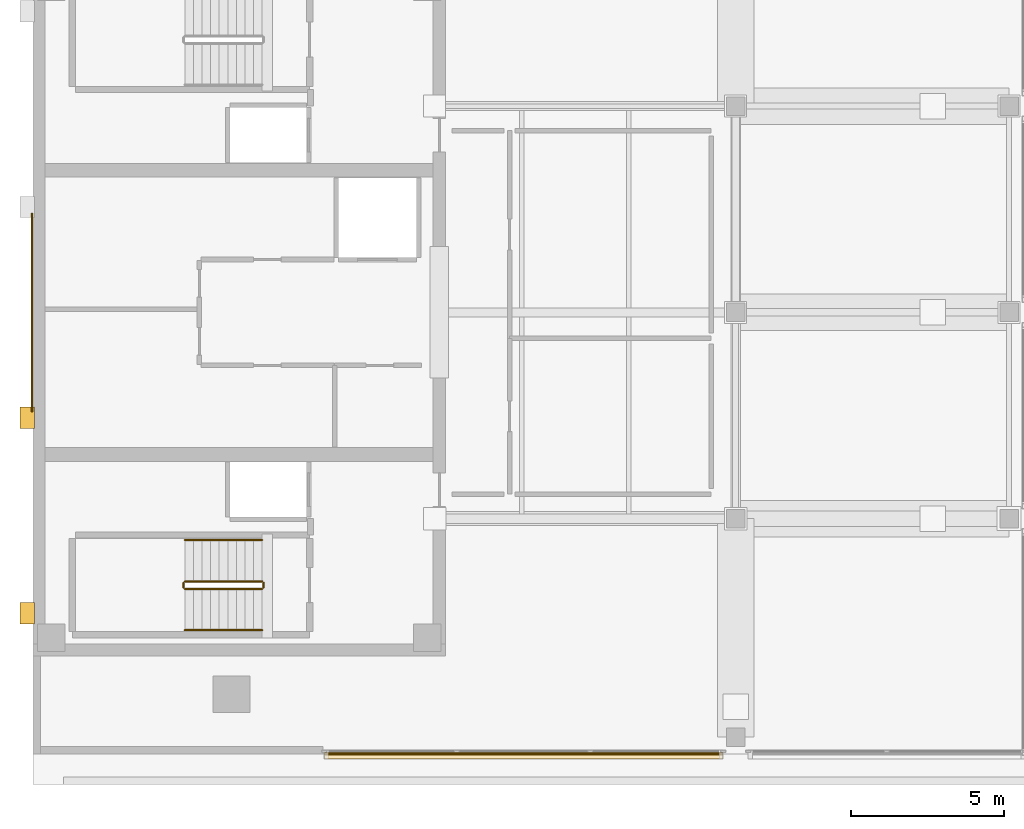
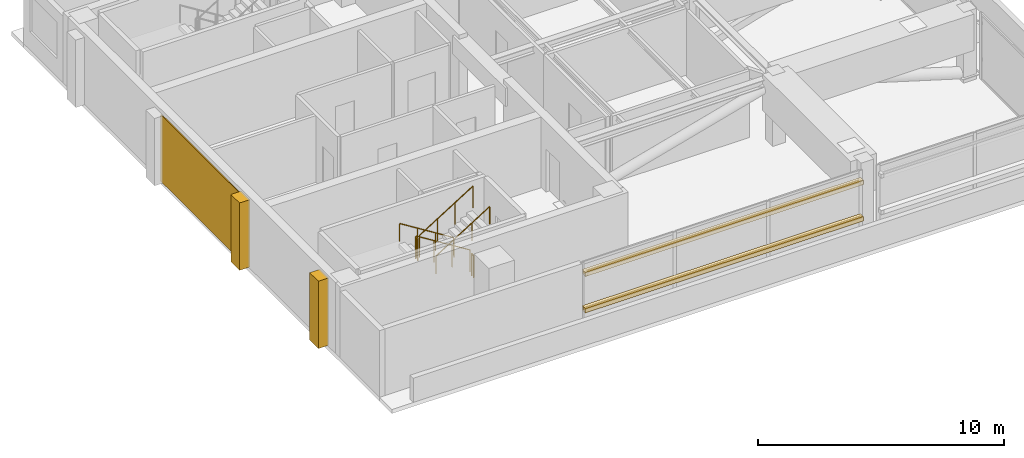
# One storey, part 7 of 10: 6 railings, 5 coverings, 2 shading devices.
"""IFC4 building model written with IfcOpenShell, lengths in metres."""

from ifc_helpers import new_model, si_unit, direction, frame, origin, origin_2d, place, context, subcontext, project, spatial, polyline, rectangle, circle, outline, extrude, material, layer, layer_set, material_profile, profile_set, type_object, element, save


model = new_model("IFC4")

# Units and contexts
model_context = context("Model", 3, precision=1e-05, world=origin(), true_north=direction((0.0, 1.0)))
body_context = subcontext(model_context, "Body", "Model", "MODEL_VIEW")
ifc_project = project(units=[si_unit("LENGTHUNIT", "METRE"), si_unit("AREAUNIT", "SQUARE_METRE"), si_unit("VOLUMEUNIT", "CUBIC_METRE"), si_unit("PLANEANGLEUNIT", "RADIAN"), si_unit("MASSUNIT", "GRAM", prefix="KILO")], contexts=[model_context])

# Site, building, storey
site_placement = place(None, origin())
site = spatial("IfcSite", under=ifc_project, at=site_placement, CompositionType="ELEMENT")
building_placement = place(site_placement, origin())
building = spatial("IfcBuilding", under=site, at=building_placement, Name="Kinhvarn Gate Tower", CompositionType="ELEMENT")
storey_placement = place(building_placement, frame((0.0, 0.0, 311.050048828125)))
storey = spatial("IfcBuildingStorey", under=building, at=storey_placement, Name="L82", CompositionType="ELEMENT", Elevation=311.050048828125)

# Coverings
ifc_material_1 = material(Name="Fired architectural terracotta", Category="masonry")
ifc_layer_1 = layer(ifc_material_1, 0.239990234375)
ifc_layer_set_1 = layer_set([ifc_layer_1], Name="Fired architectural terracotta")
covering_type_1 = type_object("IfcCoveringType", Name="COV-BAG-220", PredefinedType="CLADDING", material=ifc_layer_set_1)
for number, where, name in (
    (1, (0.0, 0.0, 0.93994140625), "Terracotta Horizontal Sunscreen Band TBG-220 (L82)"),
    (2, (0.0, 0.0, 2.739990234375), "Terracotta Horizontal Sunscreen Band TBG-220 (L82)"),
):
    element("IfcCovering", number, at=place(storey_placement, frame(where)), inside=storey, type_object=covering_type_1, Name=name, PredefinedType="CLADDING", context=body_context, shape_type="SweptSolid", body=[
        extrude(outline(polyline([(14.0400390625, 10.8701171875), (27.080078125, 10.8701171875), (27.080078125, 10.6298828125), (14.0400390625, 10.6298828125), (14.0400390625, 10.8701171875)])), origin(), (0.0, 0.0, 1.0), 0.219970703125),
    ])
ifc_layer_2 = layer(ifc_material_1, 0.050048828125)
ifc_layer_set_2 = layer_set([ifc_layer_2], Name="Fired architectural terracotta")
covering_type_2 = type_object("IfcCoveringType", Name="COV-CLD-50", PredefinedType="CLADDING", material=ifc_layer_set_2)
covering_1_placement = place(storey_placement, origin())
element("IfcCovering", 3, at=covering_1_placement, inside=storey, type_object=covering_type_2, Name="West Core Terracotta Cladding Feature Panel (L82)", PredefinedType="CLADDING", context=body_context, shape_type="SweptSolid", body=[
    extrude(outline(polyline([(4.449951171875, 22.0), (4.5, 22.0), (4.5, 28.5), (4.449951171875, 28.5), (4.449951171875, 22.0)])), origin(), (0.0, 0.0, 1.0), 3.300048828125),
])
ifc_material_2 = material(Name="Precast white architectural concrete C40/50", Category="concrete")
ifc_layer_3 = layer(ifc_material_2, 0.47998046875)
ifc_layer_set_3 = layer_set([ifc_layer_3], Name="Precast white architectural concrete C40/50")
covering_type_3 = type_object("IfcCoveringType", Name="COV-RIB-450", PredefinedType="CLADDING", material=ifc_layer_set_3)
covering_2_placement = place(storey_placement, frame((0.0, 0.0, -0.02001953125)))
element("IfcCovering", 4, at=covering_2_placement, inside=storey, type_object=covering_type_3, Name="West Core Sculptural Concrete Relief Rib CRB-450 (L82)", PredefinedType="CLADDING", context=body_context, shape_type="SweptSolid", body=[
    extrude(outline(polyline([(4.080078125, 15.050048828125), (4.56005859375, 15.050048828125), (4.56005859375, 15.75), (4.080078125, 15.75), (4.080078125, 15.050048828125)])), origin(), (0.0, 0.0, 1.0), 3.340087890625),
])
covering_3_placement = place(storey_placement, frame((0.0, 0.0, -0.02001953125)))
element("IfcCovering", 5, at=covering_3_placement, inside=storey, type_object=covering_type_3, Name="West Core Sculptural Concrete Relief Rib CRB-450 (L82)", PredefinedType="CLADDING", context=body_context, shape_type="SweptSolid", body=[
    extrude(outline(polyline([(4.080078125, 21.449951171875), (4.56005859375, 21.449951171875), (4.56005859375, 22.14990234375), (4.080078125, 22.14990234375), (4.080078125, 21.449951171875)])), origin(), (0.0, 0.0, 1.0), 3.340087890625),
])

# Railings
ifc_material_3 = material(Name="Steel S355", Category="steel")
railing_type_1 = type_object("IfcRailingType", Name="RL-ST-GRD", PredefinedType="BALUSTRADE", material=ifc_material_3)
railing_1_placement = place(storey_placement, frame((12.0, 16.449951171875, 0.175048828125)))
element("IfcRailing", 6, at=railing_1_placement, inside=storey, type_object=railing_type_1, Name="L82 ST1 stair guard 1", PredefinedType="BALUSTRADE", context=body_context, shape_type="SweptSolid", body=[
    extrude(circle(Radius=0.02392578125, at=origin_2d()), frame((0.0, 0.0, 1.076171875), z_axis=(-0.848007534815, 0.0, 0.529984170421), x_axis=(0.0, -1.0, 0.0)), (0.0, 0.0, 1.0), 2.9716796875),
    extrude(circle(Radius=0.02099609375, at=origin_2d()), origin(), (0.0, 0.0, 1.0), 1.052001953125),
    extrude(circle(Radius=0.02099609375, at=origin_2d()), frame((-0.840087890625, 0.0, 0.52490234375)), (0.0, 0.0, 1.0), 1.052001953125),
    extrude(circle(Radius=0.02099609375, at=origin_2d()), frame((-1.679931640625, 0.0, 1.050048828125)), (0.0, 0.0, 1.0), 1.052001953125),
    extrude(circle(Radius=0.02099609375, at=origin_2d()), frame((-2.52001953125, 0.0, 1.574951171875)), (0.0, 0.0, 1.0), 1.052001953125),
])
railing_2_placement = place(storey_placement, frame((9.429931640625, 16.39990234375, 1.75)))
element("IfcRailing", 7, at=railing_2_placement, inside=storey, type_object=railing_type_1, Name="L82 ST1 stair guard 2", PredefinedType="BALUSTRADE", context=body_context, shape_type="SweptSolid", body=[
    extrude(circle(Radius=0.02392578125, at=origin_2d()), frame((0.0, 0.0, 1.076171875), z_axis=(0.0, -1.0, 0.0), x_axis=(1.0, 0.0, 0.0)), (0.0, 0.0, 1.0), 0.14990234375),
    extrude(circle(Radius=0.02099609375, at=origin_2d()), origin(), (0.0, 0.0, 1.0), 1.052001953125),
    extrude(circle(Radius=0.02099609375, at=origin_2d()), frame((0.0, -0.14990234375, 0.0)), (0.0, 0.0, 1.0), 1.052001953125),
])
railing_3_placement = place(storey_placement, frame((9.47998046875, 16.199951171875, 1.925048828125)))
element("IfcRailing", 8, at=railing_3_placement, inside=storey, type_object=railing_type_1, Name="L82 ST1 stair guard 3", PredefinedType="BALUSTRADE", context=body_context, shape_type="SweptSolid", body=[
    extrude(circle(Radius=0.02392578125, at=origin_2d()), frame((0.0, 0.0, 1.076171875), z_axis=(0.848007534815, 0.0, 0.529984170421), x_axis=(0.0, 1.0, 0.0)), (0.0, 0.0, 1.0), 2.9716796875),
    extrude(circle(Radius=0.02099609375, at=origin_2d()), origin(), (0.0, 0.0, 1.0), 1.052001953125),
    extrude(circle(Radius=0.02099609375, at=origin_2d()), frame((0.840087890625, 0.0, 0.52490234375)), (0.0, 0.0, 1.0), 1.052001953125),
    extrude(circle(Radius=0.02099609375, at=origin_2d()), frame((1.679931640625, 0.0, 1.050048828125)), (0.0, 0.0, 1.0), 1.052001953125),
    extrude(circle(Radius=0.02099609375, at=origin_2d()), frame((2.52001953125, 0.0, 1.574951171875)), (0.0, 0.0, 1.0), 1.052001953125),
])
railing_4_placement = place(storey_placement, frame((12.050048828125, 16.39990234375, 0.0)))
element("IfcRailing", 9, at=railing_4_placement, inside=storey, type_object=railing_type_1, Name="L82 ST1 stair guard 4", PredefinedType="BALUSTRADE", context=body_context, shape_type="SweptSolid", body=[
    extrude(circle(Radius=0.02392578125, at=origin_2d()), frame((0.0, 0.0, 1.076171875), z_axis=(0.0, -1.0, 0.0), x_axis=(1.0, 0.0, 0.0)), (0.0, 0.0, 1.0), 0.14990234375),
    extrude(circle(Radius=0.02099609375, at=origin_2d()), origin(), (0.0, 0.0, 1.0), 1.052001953125),
    extrude(circle(Radius=0.02099609375, at=origin_2d()), frame((0.0, -0.14990234375, 0.0)), (0.0, 0.0, 1.0), 1.052001953125),
])
railing_type_2 = type_object("IfcRailingType", Name="RL-ST-HND", PredefinedType="HANDRAIL", material=ifc_material_3)
railing_5_placement = place(storey_placement, frame((12.0, 17.800048828125, 0.175048828125)))
element("IfcRailing", 10, at=railing_5_placement, inside=storey, type_object=railing_type_2, Name="L82 ST1 stair handrail 1", PredefinedType="HANDRAIL", context=body_context, shape_type="SweptSolid", body=[
    extrude(circle(Radius=0.02392578125, at=origin_2d()), frame((0.0, 0.0, 0.8759765625), z_axis=(-0.848007534815, 0.0, 0.529984170421), x_axis=(0.0, -1.0, 0.0)), (0.0, 0.0, 1.0), 2.9716796875),
    extrude(circle(Radius=0.02099609375, at=origin_2d()), origin(), (0.0, 0.0, 1.0), 0.851806640625),
    extrude(circle(Radius=0.02099609375, at=origin_2d()), frame((-0.840087890625, 0.0, 0.52490234375)), (0.0, 0.0, 1.0), 0.851806640625),
    extrude(circle(Radius=0.02099609375, at=origin_2d()), frame((-1.679931640625, 0.0, 1.050048828125)), (0.0, 0.0, 1.0), 0.851806640625),
    extrude(circle(Radius=0.02099609375, at=origin_2d()), frame((-2.52001953125, 0.0, 1.574951171875)), (0.0, 0.0, 1.0), 0.851806640625),
])
railing_6_placement = place(storey_placement, frame((9.47998046875, 14.85009765625, 1.925048828125)))
element("IfcRailing", 11, at=railing_6_placement, inside=storey, type_object=railing_type_2, Name="L82 ST1 stair handrail 2", PredefinedType="HANDRAIL", context=body_context, shape_type="SweptSolid", body=[
    extrude(circle(Radius=0.02392578125, at=origin_2d()), frame((0.0, 0.0, 0.8759765625), z_axis=(0.848007534815, 0.0, 0.529984170421), x_axis=(0.0, 1.0, 0.0)), (0.0, 0.0, 1.0), 2.9716796875),
    extrude(circle(Radius=0.02099609375, at=origin_2d()), origin(), (0.0, 0.0, 1.0), 0.851806640625),
    extrude(circle(Radius=0.02099609375, at=origin_2d()), frame((0.840087890625, 0.0, 0.52490234375)), (0.0, 0.0, 1.0), 0.851806640625),
    extrude(circle(Radius=0.02099609375, at=origin_2d()), frame((1.679931640625, 0.0, 1.050048828125)), (0.0, 0.0, 1.0), 0.851806640625),
    extrude(circle(Radius=0.02099609375, at=origin_2d()), frame((2.52001953125, 0.0, 1.574951171875)), (0.0, 0.0, 1.0), 0.851806640625),
])

# Shading devices
ifc_material_profile = material_profile(ifc_material_1, rectangle(XDim=0.050048828125, YDim=0.1201171875, at=origin_2d()), Name="TC 50x120")
ifc_profile_set = profile_set([ifc_material_profile], Name="Fired architectural terracotta")
shading_device_type = type_object("IfcShadingDeviceType", Name="SHD-BAG-140", PredefinedType="USERDEFINED", material=ifc_profile_set)
for number, where, z_axis, x_axis, name in (
    (12, (14.0400390625, 10.800048828125, 1.050048828125), (1.0, 0.0, 0.0), (0.0, 1.0, 0.0), "Upper Tower Terracotta Baguette Screen Rod 50x120 mm (L82)"),
    (13, (14.0400390625, 10.800048828125, 2.849853515625), (1.0, 0.0, 0.0), (0.0, 1.0, 0.0), "Upper Tower Terracotta Baguette Screen Rod 50x120 mm (L82)"),
):
    element("IfcShadingDevice", number, at=place(storey_placement, frame(where, z_axis=z_axis, x_axis=x_axis)), inside=storey, type_object=shading_device_type, Name=name, ObjectType="BAGUETTE", PredefinedType="USERDEFINED", context=body_context, shape_type="SweptSolid", body=[
        extrude(rectangle(XDim=0.050048828125, YDim=0.1201171875, at=origin_2d()), origin(), (0.0, 0.0, 1.0), 13.0400390625),
    ])

save(model, "model.ifc")
